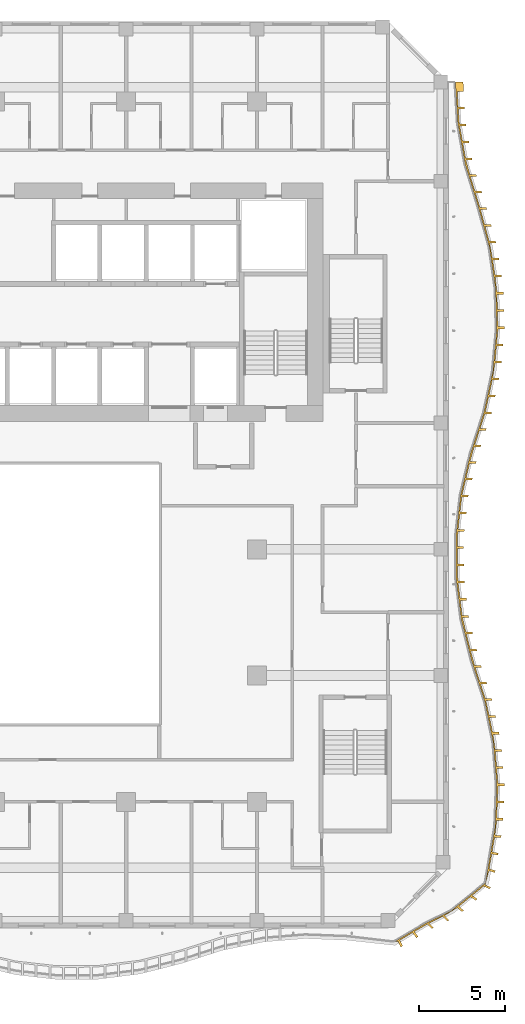
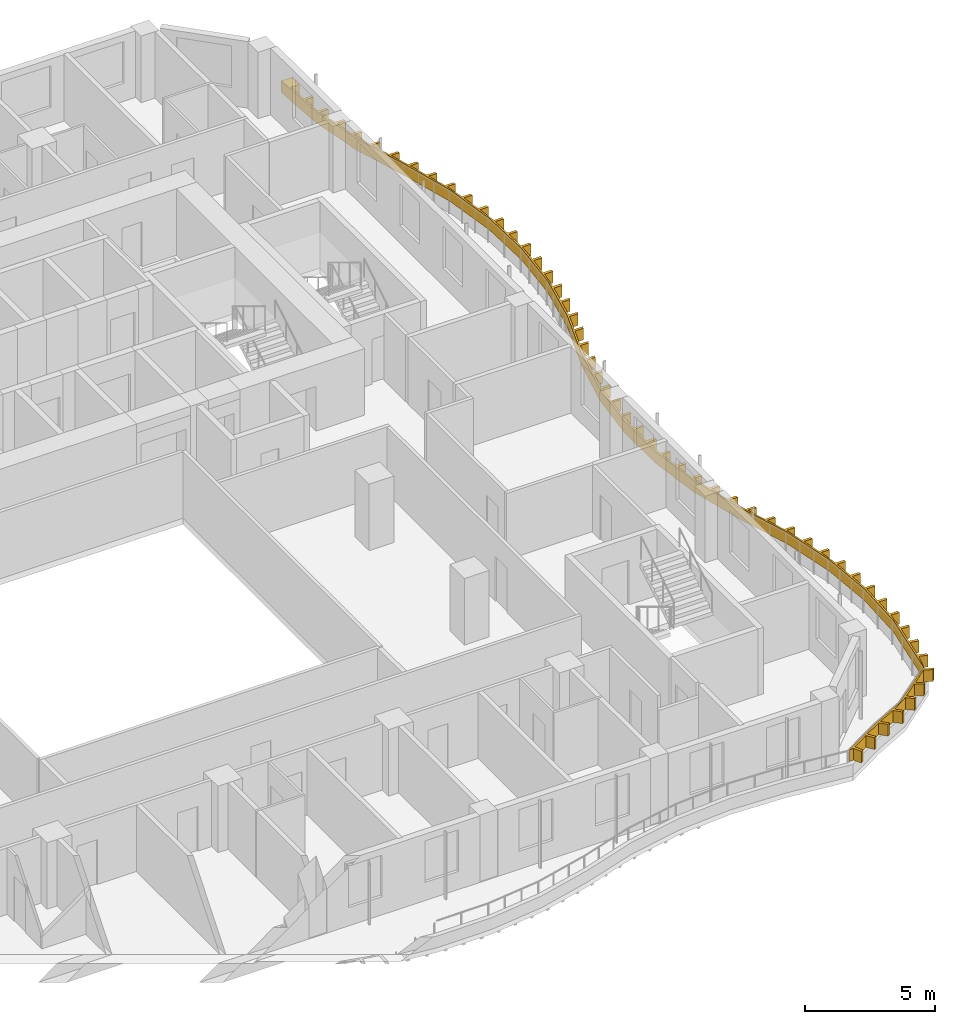
# One storey, part 18 of 21: 1 shading device.
"""IFC4 building model written with IfcOpenShell, lengths in metres."""

from ifc_helpers import new_model, si_unit, direction, frame, origin, place, context, subcontext, project, spatial, polyline, outline, extrude, source, transform, mapped, material, layer, layer_set, type_object, element, save


model = new_model("IFC4")

# Units and contexts
model_context = context("Model", 3, precision=1e-05, world=origin(), true_north=direction((0.0, 1.0)))
body_context = subcontext(model_context, "Body", "Model", "MODEL_VIEW")
ifc_project = project(units=[si_unit("LENGTHUNIT", "METRE"), si_unit("AREAUNIT", "SQUARE_METRE"), si_unit("VOLUMEUNIT", "CUBIC_METRE"), si_unit("PLANEANGLEUNIT", "RADIAN"), si_unit("MASSUNIT", "GRAM", prefix="KILO")], contexts=[model_context])

# Site, building, storey
site_placement = place(None, origin())
site = spatial("IfcSite", under=ifc_project, at=site_placement, CompositionType="ELEMENT")
building_placement = place(site_placement, origin())
building = spatial("IfcBuilding", under=site, at=building_placement, Name="Kilnfold Tower and Market Hall", CompositionType="ELEMENT")
storey_placement = place(building_placement, frame((0.0, 0.0, 147.300048828125)))
storey = spatial("IfcBuildingStorey", under=building, at=storey_placement, Name="L33", CompositionType="ELEMENT", Elevation=147.300048828125)

# Shading device
ifc_material = material(Name="Bronze anodised aluminium", Category="aluminium")
ifc_layer = layer(ifc_material, 0.550048828125)
ifc_layer_set = layer_set([ifc_layer], Name="Bronze anodised aluminium")
shading_device_type = type_object("IfcShadingDeviceType", Name="BRONZE SLAT FASCIA 550", PredefinedType="USERDEFINED", material=ifc_layer_set)
shared_shape = source(origin(), body_context, "Body", "SweptSolid", [
    extrude(outline(polyline([(22.4892578125, -22.342041015625), (22.332763671875, -22.009033203125), (22.158935546875, -22.021484375), (23.8515625, -21.01806640625), (25.411376953125, -20.24462890625), (27.392578125, -18.637451171875), (27.9521484375, -15.355224609375), (28.0458984375, -12.96044921875), (27.85400390625, -10.56591796875), (27.3681640625, -8.171142578125), (26.598388671875, -5.7763671875), (25.99560546875, -3.381591796875), (25.693359375, -0.98681640625), (25.678466796875, 1.407958984375), (25.9501953125, 3.802490234375), (26.5205078125, 6.197509765625), (27.299560546875, 8.592041015625), (27.817138671875, 10.98681640625), (28.039306640625, 13.381591796875), (27.975341796875, 15.7763671875), (27.623046875, 18.171142578125), (26.96630859375, 20.56591796875), (26.226806640625, 22.96044921875), (25.792724609375, 25.355224609375), (25.64990234375, 27.75), (26.10009765625, 27.75), (26.1337890625, 27.1845703125), (25.763671875, 27.1845703125), (25.81591796875, 26.30615234375), (26.18603515625, 26.30615234375), (26.193115234375, 26.186279296875), (25.8232421875, 26.186279296875), (25.881103515625, 25.30859375), (26.251220703125, 25.30859375), (26.272705078125, 25.1904296875), (25.902587890625, 25.1904296875), (26.0595703125, 24.32470703125), (26.4296875, 24.32470703125), (26.450927734375, 24.20654296875), (26.0810546875, 24.20654296875), (26.238037109375, 23.340576171875), (26.60791015625, 23.340576171875), (26.62939453125, 23.222412109375), (26.259521484375, 23.222412109375), (26.48779296875, 22.3740234375), (26.85791015625, 22.3740234375), (26.893310546875, 22.259521484375), (26.523193359375, 22.259521484375), (26.782958984375, 21.418701171875), (27.15283203125, 21.418701171875), (27.188232421875, 21.303955078125), (26.818359375, 21.303955078125), (27.07470703125, 20.462158203125), (27.444580078125, 20.462158203125), (27.476318359375, 20.346435546875), (27.1064453125, 20.346435546875), (27.339111328125, 19.497802734375), (27.709228515625, 19.497802734375), (27.740966796875, 19.382080078125), (27.370849609375, 19.382080078125), (27.603759765625, 18.533447265625), (27.9736328125, 18.533447265625), (28.005615234375, 18.417724609375), (27.635498046875, 18.417724609375), (27.7939453125, 17.553466796875), (28.1640625, 17.553466796875), (28.181396484375, 17.434814453125), (27.811279296875, 17.434814453125), (27.939453125, 16.564208984375), (28.3095703125, 16.564208984375), (28.326904296875, 16.4453125), (27.95703125, 16.4453125), (28.060791015625, 15.572509765625), (28.430908203125, 15.572509765625), (28.43408203125, 15.45263671875), (28.06396484375, 15.45263671875), (28.08740234375, 14.572998046875), (28.45751953125, 14.572998046875), (28.460693359375, 14.452880859375), (28.0908203125, 14.452880859375), (28.114013671875, 13.5732421875), (28.484130859375, 13.5732421875), (28.4873046875, 13.453369140625), (28.1171875, 13.453369140625), (28.044677734375, 12.576904296875), (28.41455078125, 12.576904296875), (28.403564453125, 12.45751953125), (28.033447265625, 12.45751953125), (27.952392578125, 11.5810546875), (28.322265625, 11.5810546875), (28.311279296875, 11.461669921875), (27.941162109375, 11.461669921875), (27.81201171875, 10.5927734375), (28.181884765625, 10.5927734375), (28.15673828125, 10.4755859375), (27.78662109375, 10.4755859375), (27.600830078125, 9.615234375), (27.970703125, 9.615234375), (27.9453125, 9.498046875), (27.575439453125, 9.498046875), (27.389404296875, 8.637939453125), (27.759521484375, 8.637939453125), (27.74951171875, 8.592041015625), (27.72705078125, 8.522705078125), (27.35693359375, 8.522705078125), (27.084716796875, 7.685791015625), (27.45458984375, 7.685791015625), (27.41748046875, 7.571533203125), (27.047607421875, 7.571533203125), (26.775390625, 6.73486328125), (27.145263671875, 6.73486328125), (27.108154296875, 6.62060546875), (26.738037109375, 6.62060546875), (26.499755859375, 5.7744140625), (26.86962890625, 5.7744140625), (26.841796875, 5.65771484375), (26.471923828125, 5.65771484375), (26.26806640625, 4.801513671875), (26.63818359375, 4.801513671875), (26.6103515625, 4.684814453125), (26.240234375, 4.684814453125), (26.036376953125, 3.828857421875), (26.406494140625, 3.828857421875), (26.3896484375, 3.710205078125), (26.019775390625, 3.710205078125), (25.92041015625, 2.835693359375), (26.29052734375, 2.835693359375), (26.277099609375, 2.716552734375), (25.906982421875, 2.716552734375), (25.807861328125, 1.842041015625), (26.177734375, 1.842041015625), (26.164306640625, 1.722900390625), (25.794189453125, 1.722900390625), (25.761962890625, 0.844970703125), (26.132080078125, 0.844970703125), (26.1328125, 0.724853515625), (25.7626953125, 0.724853515625), (25.768310546875, -0.155029296875), (26.13818359375, -0.155029296875), (26.138916015625, -0.275146484375), (25.76904296875, -0.275146484375), (25.79443359375, -1.15380859375), (26.16455078125, -1.15380859375), (26.179443359375, -1.272705078125), (25.8095703125, -1.272705078125), (25.919677734375, -2.14599609375), (26.28955078125, -2.14599609375), (26.3046875, -2.264892578125), (25.9345703125, -2.264892578125), (26.044921875, -3.137939453125), (26.414794921875, -3.137939453125), (26.4296875, -3.257080078125), (26.059814453125, -3.257080078125), (26.259765625, -4.11328125), (26.629638671875, -4.11328125), (26.658935546875, -4.229736328125), (26.2890625, -4.229736328125), (26.50390625, -5.0830078125), (26.873779296875, -5.0830078125), (26.903076171875, -5.199462890625), (26.533203125, -5.199462890625), (26.765380859375, -6.047607421875), (27.135498046875, -6.047607421875), (27.17236328125, -6.162109375), (26.80224609375, -6.162109375), (27.071533203125, -6.999755859375), (27.441650390625, -6.999755859375), (27.478271484375, -7.114013671875), (27.1083984375, -7.114013671875), (27.377685546875, -7.951904296875), (27.74755859375, -7.951904296875), (27.7841796875, -8.06591796875), (27.414306640625, -8.06591796875), (27.60107421875, -8.92529296875), (27.97119140625, -8.92529296875), (27.9951171875, -9.04296875), (27.625, -9.04296875), (27.7998046875, -9.905517578125), (28.169921875, -9.905517578125), (28.19384765625, -10.02294921875), (27.82373046875, -10.02294921875), (27.9599609375, -10.890869140625), (28.330078125, -10.890869140625), (28.339599609375, -11.010498046875), (27.969482421875, -11.010498046875), (28.039794921875, -11.8876953125), (28.409912109375, -11.8876953125), (28.41943359375, -12.00732421875), (28.04931640625, -12.00732421875), (28.11962890625, -12.884521484375), (28.48974609375, -12.884521484375), (28.495849609375, -12.96044921875), (28.494140625, -13.004150390625), (28.1240234375, -13.004150390625), (28.089599609375, -13.883544921875), (28.459716796875, -13.883544921875), (28.455078125, -14.00341796875), (28.0849609375, -14.00341796875), (28.05078125, -14.8828125), (28.420654296875, -14.8828125), (28.416015625, -15.002685546875), (28.0458984375, -15.002685546875), (27.943603515625, -15.86767578125), (28.310302734375, -15.8896484375), (28.289306640625, -16.01123046875), (27.92333984375, -15.984375), (27.7763671875, -16.839599609375), (28.135986328125, -16.9033203125), (28.114990234375, -17.025146484375), (27.756591796875, -16.956298828125), (27.61083984375, -17.8115234375), (27.961669921875, -17.917236328125), (27.94091796875, -18.038818359375), (27.59130859375, -17.92822265625), (27.375, -18.7421875), (27.713623046875, -18.889404296875), (27.61865234375, -18.9697265625), (27.283447265625, -18.81689453125), (26.6123046875, -19.36328125), (26.922119140625, -19.55712890625), (26.826904296875, -19.63720703125), (26.52099609375, -19.437744140625), (25.85205078125, -19.985595703125), (26.13037109375, -20.224853515625), (26.035400390625, -20.304931640625), (25.760986328125, -20.060302734375), (25.025390625, -20.5205078125), (25.287109375, -20.7822265625), (25.1796875, -20.835693359375), (24.91796875, -20.573974609375), (24.129638671875, -20.96484375), (24.39111328125, -21.2265625), (24.28369140625, -21.27978515625), (24.02197265625, -21.01806640625), (23.273681640625, -21.448974609375), (23.494140625, -21.740478515625), (23.38671875, -21.804931640625), (23.1728515625, -21.5087890625), (22.43359375, -21.94873046875), (22.596923828125, -22.277587890625), (22.4892578125, -22.342041015625)])), origin(), (0.0, 0.0, 1.0), 0.5498046875),
])
shading_device_placement = place(storey_placement, frame((0.0, 0.0, 0.550048828125)))
element("IfcShadingDevice", 1, at=shading_device_placement, inside=storey, type_object=shading_device_type, Name="Balcony slat fascia L33", ObjectType="SLAT", PredefinedType="USERDEFINED", context=body_context, shape_type="MappedRepresentation", body=[
    mapped(shared_shape, transform((0.0, 0.0, 0.0))),
])

save(model, "model.ifc")
